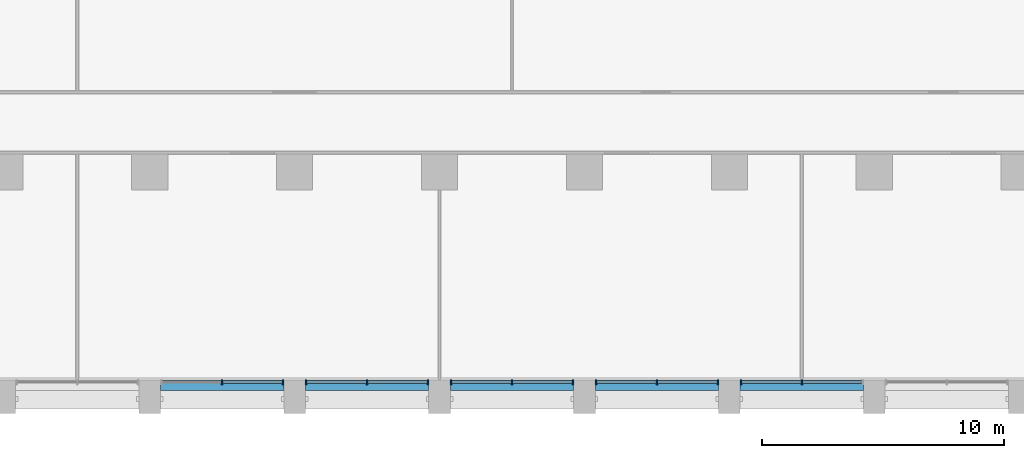
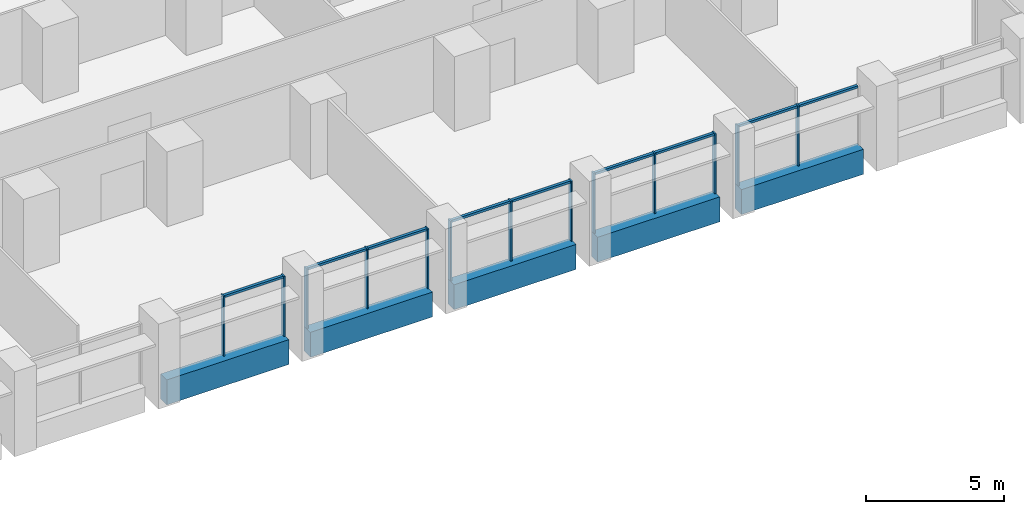
# One storey, part 3 of 18: 22 members, 5 beams, 5 elements without a shape of their own.
"""IFC4 building model written with IfcOpenShell, lengths in metres."""

from ifc_helpers import new_model, si_unit, direction, frame, origin, origin_2d, place, context, subcontext, project, spatial, rectangle, extrude, material, material_profile, profile_set, type_object, element, aggregate, save


model = new_model("IFC4")

# Units and contexts
model_context = context("Model", 3, precision=1e-05, world=origin(), true_north=direction((0.0, 1.0)))
body_context = subcontext(model_context, "Body", "Model", "MODEL_VIEW")
ifc_project = project(units=[si_unit("LENGTHUNIT", "METRE"), si_unit("AREAUNIT", "SQUARE_METRE"), si_unit("VOLUMEUNIT", "CUBIC_METRE"), si_unit("PLANEANGLEUNIT", "RADIAN"), si_unit("MASSUNIT", "GRAM", prefix="KILO")], contexts=[model_context])

# Site, building, storey
site_placement = place(None, origin())
site = spatial("IfcSite", under=ifc_project, at=site_placement, CompositionType="ELEMENT")
building_placement = place(site_placement, origin())
building = spatial("IfcBuilding", under=site, at=building_placement, Name="Calvaro Tower", CompositionType="ELEMENT")
storey_placement = place(building_placement, frame((0.0, 0.0, 78.75)))
storey = spatial("IfcBuildingStorey", under=building, at=storey_placement, Name="L19", CompositionType="ELEMENT", Elevation=78.75)

# Curtain wall, members
ifc_material_1 = material(Name="Anodised aluminium", Category="aluminium")
curtain_wall_type = type_object("IfcCurtainWallType", Name="Office curtain wall, lower zone", PredefinedType="NOTDEFINED", material=ifc_material_1)
curtain_wall_1_placement = place(storey_placement, origin())
curtain_wall_1 = element("IfcCurtainWall", 1, at=curtain_wall_1_placement, inside=storey, type_object=curtain_wall_type, Name="CW1 south curtain wall", PredefinedType="NOTDEFINED")
ifc_material_2 = material(Name="Anodised aluminium", Category="aluminium")
ifc_material_profile_1 = material_profile(ifc_material_2, rectangle(XDim=0.199951171875, YDim=0.06005859375, at=origin_2d()), Name="Mullion S1 60 x 200")
ifc_profile_set_1 = profile_set([ifc_material_profile_1], Name="Anodised aluminium")
member_type_1 = type_object("IfcMemberType", Name="Mullion S1 60 x 200", PredefinedType="MULLION", material=ifc_profile_set_1)
member_1_placement = place(storey_placement, frame((39.0, 1.300048828125, 0.0), z_axis=(0.0, 0.0, 1.0), x_axis=(0.0, 1.0, 0.0)))
member_1 = element("IfcMember", 2, at=member_1_placement, type_object=member_type_1, Name="CW1 mullion 2", PredefinedType="MULLION", context=body_context, shape_type="SweptSolid", body=[
    extrude(rectangle(XDim=0.199951171875, YDim=0.06005859375, at=origin_2d()), origin(), (0.0, 0.0, 1.0), 2.64990234375),
])
member_2_placement = place(storey_placement, frame((41.52001953125, 1.300048828125, 0.0), z_axis=(0.0, 0.0, 1.0), x_axis=(0.0, 1.0, 0.0)))
member_2 = element("IfcMember", 3, at=member_2_placement, type_object=member_type_1, Name="CW1 mullion 3", PredefinedType="MULLION", context=body_context, shape_type="SweptSolid", body=[
    extrude(rectangle(XDim=0.199951171875, YDim=0.06005859375, at=origin_2d()), origin(), (0.0, 0.0, 1.0), 2.64990234375),
])

curtain_wall_2_placement = place(storey_placement, origin())
curtain_wall_2 = element("IfcCurtainWall", 4, at=curtain_wall_2_placement, inside=storey, type_object=curtain_wall_type, Name="CW1 south curtain wall", PredefinedType="NOTDEFINED")
member_3_placement = place(storey_placement, frame((42.47998046875, 1.300048828125, 0.0), z_axis=(0.0, 0.0, 1.0), x_axis=(0.0, 1.0, 0.0)))
member_3 = element("IfcMember", 5, at=member_3_placement, type_object=member_type_1, Name="CW1 mullion 1", PredefinedType="MULLION", context=body_context, shape_type="SweptSolid", body=[
    extrude(rectangle(XDim=0.199951171875, YDim=0.06005859375, at=origin_2d()), origin(), (0.0, 0.0, 1.0), 2.64990234375),
])
member_4_placement = place(storey_placement, frame((45.0, 1.300048828125, 0.0), z_axis=(0.0, 0.0, 1.0), x_axis=(0.0, 1.0, 0.0)))
member_4 = element("IfcMember", 6, at=member_4_placement, type_object=member_type_1, Name="CW1 mullion 2", PredefinedType="MULLION", context=body_context, shape_type="SweptSolid", body=[
    extrude(rectangle(XDim=0.199951171875, YDim=0.06005859375, at=origin_2d()), origin(), (0.0, 0.0, 1.0), 2.64990234375),
])
member_5_placement = place(storey_placement, frame((47.52001953125, 1.300048828125, 0.0), z_axis=(0.0, 0.0, 1.0), x_axis=(0.0, 1.0, 0.0)))
member_5 = element("IfcMember", 7, at=member_5_placement, type_object=member_type_1, Name="CW1 mullion 3", PredefinedType="MULLION", context=body_context, shape_type="SweptSolid", body=[
    extrude(rectangle(XDim=0.199951171875, YDim=0.06005859375, at=origin_2d()), origin(), (0.0, 0.0, 1.0), 2.64990234375),
])

curtain_wall_3_placement = place(storey_placement, origin())
curtain_wall_3 = element("IfcCurtainWall", 8, at=curtain_wall_3_placement, inside=storey, type_object=curtain_wall_type, Name="CW1 south curtain wall", PredefinedType="NOTDEFINED")
member_6_placement = place(storey_placement, frame((48.47998046875, 1.300048828125, 0.0), z_axis=(0.0, 0.0, 1.0), x_axis=(0.0, 1.0, 0.0)))
member_6 = element("IfcMember", 9, at=member_6_placement, type_object=member_type_1, Name="CW1 mullion 1", PredefinedType="MULLION", context=body_context, shape_type="SweptSolid", body=[
    extrude(rectangle(XDim=0.199951171875, YDim=0.06005859375, at=origin_2d()), origin(), (0.0, 0.0, 1.0), 2.64990234375),
])
member_7_placement = place(storey_placement, frame((51.0, 1.300048828125, 0.0), z_axis=(0.0, 0.0, 1.0), x_axis=(0.0, 1.0, 0.0)))
member_7 = element("IfcMember", 10, at=member_7_placement, type_object=member_type_1, Name="CW1 mullion 2", PredefinedType="MULLION", context=body_context, shape_type="SweptSolid", body=[
    extrude(rectangle(XDim=0.199951171875, YDim=0.06005859375, at=origin_2d()), origin(), (0.0, 0.0, 1.0), 2.64990234375),
])
member_8_placement = place(storey_placement, frame((53.52001953125, 1.300048828125, 0.0), z_axis=(0.0, 0.0, 1.0), x_axis=(0.0, 1.0, 0.0)))
member_8 = element("IfcMember", 11, at=member_8_placement, type_object=member_type_1, Name="CW1 mullion 3", PredefinedType="MULLION", context=body_context, shape_type="SweptSolid", body=[
    extrude(rectangle(XDim=0.199951171875, YDim=0.06005859375, at=origin_2d()), origin(), (0.0, 0.0, 1.0), 2.64990234375),
])

curtain_wall_4_placement = place(storey_placement, origin())
curtain_wall_4 = element("IfcCurtainWall", 12, at=curtain_wall_4_placement, inside=storey, type_object=curtain_wall_type, Name="CW1 south curtain wall", PredefinedType="NOTDEFINED")
member_9_placement = place(storey_placement, frame((54.47998046875, 1.300048828125, 0.0), z_axis=(0.0, 0.0, 1.0), x_axis=(0.0, 1.0, 0.0)))
member_9 = element("IfcMember", 13, at=member_9_placement, type_object=member_type_1, Name="CW1 mullion 1", PredefinedType="MULLION", context=body_context, shape_type="SweptSolid", body=[
    extrude(rectangle(XDim=0.199951171875, YDim=0.06005859375, at=origin_2d()), origin(), (0.0, 0.0, 1.0), 2.64990234375),
])
member_10_placement = place(storey_placement, frame((57.0, 1.300048828125, 0.0), z_axis=(0.0, 0.0, 1.0), x_axis=(0.0, 1.0, 0.0)))
member_10 = element("IfcMember", 14, at=member_10_placement, type_object=member_type_1, Name="CW1 mullion 2", PredefinedType="MULLION", context=body_context, shape_type="SweptSolid", body=[
    extrude(rectangle(XDim=0.199951171875, YDim=0.06005859375, at=origin_2d()), origin(), (0.0, 0.0, 1.0), 2.64990234375),
])
member_11_placement = place(storey_placement, frame((59.52001953125, 1.300048828125, 0.0), z_axis=(0.0, 0.0, 1.0), x_axis=(0.0, 1.0, 0.0)))
member_11 = element("IfcMember", 15, at=member_11_placement, type_object=member_type_1, Name="CW1 mullion 3", PredefinedType="MULLION", context=body_context, shape_type="SweptSolid", body=[
    extrude(rectangle(XDim=0.199951171875, YDim=0.06005859375, at=origin_2d()), origin(), (0.0, 0.0, 1.0), 2.64990234375),
])

curtain_wall_5_placement = place(storey_placement, origin())
curtain_wall_5 = element("IfcCurtainWall", 16, at=curtain_wall_5_placement, inside=storey, type_object=curtain_wall_type, Name="CW1 south curtain wall", PredefinedType="NOTDEFINED")
member_12_placement = place(storey_placement, frame((60.47998046875, 1.300048828125, 0.0), z_axis=(0.0, 0.0, 1.0), x_axis=(0.0, 1.0, 0.0)))
member_12 = element("IfcMember", 17, at=member_12_placement, type_object=member_type_1, Name="CW1 mullion 1", PredefinedType="MULLION", context=body_context, shape_type="SweptSolid", body=[
    extrude(rectangle(XDim=0.199951171875, YDim=0.06005859375, at=origin_2d()), origin(), (0.0, 0.0, 1.0), 2.64990234375),
])
member_13_placement = place(storey_placement, frame((63.0, 1.300048828125, 0.0), z_axis=(0.0, 0.0, 1.0), x_axis=(0.0, 1.0, 0.0)))
member_13 = element("IfcMember", 18, at=member_13_placement, type_object=member_type_1, Name="CW1 mullion 2", PredefinedType="MULLION", context=body_context, shape_type="SweptSolid", body=[
    extrude(rectangle(XDim=0.199951171875, YDim=0.06005859375, at=origin_2d()), origin(), (0.0, 0.0, 1.0), 2.64990234375),
])

# Beams
ifc_material_3 = material(Name="Concrete C50/60 precast", Category="concrete")
ifc_material_profile_2 = material_profile(ifc_material_3, rectangle(XDim=0.449951171875, YDim=1.10009765625, at=origin_2d()), Name="RC 450x1100")
ifc_profile_set_2 = profile_set([ifc_material_profile_2], Name="Concrete C50/60 precast")
beam_type = type_object("IfcBeamType", Name="Spandrel beam 450x1100 C50/60", PredefinedType="SPANDREL", material=ifc_profile_set_2)
for number, where, z_axis, x_axis, name in (
    (19, (36.449951171875, 1.175048828125, -0.550048828125), (1.0, 0.0, 0.0), (0.0, 1.0, 0.0), "Spandrel beam"),
    (20, (42.449951171875, 1.175048828125, -0.550048828125), (1.0, 0.0, 0.0), (0.0, 1.0, 0.0), "Spandrel beam"),
    (21, (48.449951171875, 1.175048828125, -0.550048828125), (1.0, 0.0, 0.0), (0.0, 1.0, 0.0), "Spandrel beam"),
    (22, (54.449951171875, 1.175048828125, -0.550048828125), (1.0, 0.0, 0.0), (0.0, 1.0, 0.0), "Spandrel beam"),
    (23, (60.449951171875, 1.175048828125, -0.550048828125), (1.0, 0.0, 0.0), (0.0, 1.0, 0.0), "Spandrel beam"),
):
    element("IfcBeam", number, at=place(storey_placement, frame(where, z_axis=z_axis, x_axis=x_axis)), inside=storey, type_object=beam_type, Name=name, PredefinedType="SPANDREL", context=body_context, shape_type="SweptSolid", body=[
        extrude(rectangle(XDim=0.449951171875, YDim=1.10009765625, at=origin_2d()), origin(), (0.0, 0.0, 1.0), 5.10009765625),
    ])

# Member
ifc_material_4 = material(Name="Anodised aluminium", Category="aluminium")
ifc_material_profile_3 = material_profile(ifc_material_4, rectangle(XDim=0.1201171875, YDim=0.10009765625, at=origin_2d()), Name="Transom S1 100 x 120")
ifc_profile_set_3 = profile_set([ifc_material_profile_3], Name="Anodised aluminium")
member_type_2 = type_object("IfcMemberType", Name="Transom S1 100 x 120", PredefinedType="USERDEFINED", material=ifc_profile_set_3)
member_14_placement = place(storey_placement, frame((39.030029296875, 1.300048828125, 2.60009765625), z_axis=(1.0, 0.0, 0.0), x_axis=(0.0, 1.0, 0.0)))
member_14 = element("IfcMember", 24, at=member_14_placement, type_object=member_type_2, Name="CW1 transom 2.1", ObjectType="TRANSOM", PredefinedType="USERDEFINED", context=body_context, shape_type="SweptSolid", body=[
    extrude(rectangle(XDim=0.1201171875, YDim=0.10009765625, at=origin_2d()), origin(), (0.0, 0.0, 1.0), 2.4599609375),
])

aggregate(curtain_wall_1, [member_1, member_2, member_14])

member_15_placement = place(storey_placement, frame((42.510009765625, 1.300048828125, 2.60009765625), z_axis=(1.0, 0.0, 0.0), x_axis=(0.0, 1.0, 0.0)))
member_15 = element("IfcMember", 25, at=member_15_placement, type_object=member_type_2, Name="CW1 transom 1.1", ObjectType="TRANSOM", PredefinedType="USERDEFINED", context=body_context, shape_type="SweptSolid", body=[
    extrude(rectangle(XDim=0.1201171875, YDim=0.10009765625, at=origin_2d()), origin(), (0.0, 0.0, 1.0), 2.4599609375),
])

member_16_placement = place(storey_placement, frame((45.030029296875, 1.300048828125, 2.60009765625), z_axis=(1.0, 0.0, 0.0), x_axis=(0.0, 1.0, 0.0)))
member_16 = element("IfcMember", 26, at=member_16_placement, type_object=member_type_2, Name="CW1 transom 2.1", ObjectType="TRANSOM", PredefinedType="USERDEFINED", context=body_context, shape_type="SweptSolid", body=[
    extrude(rectangle(XDim=0.1201171875, YDim=0.10009765625, at=origin_2d()), origin(), (0.0, 0.0, 1.0), 2.4599609375),
])

aggregate(curtain_wall_2, [member_3, member_4, member_5, member_15, member_16])

member_17_placement = place(storey_placement, frame((48.510009765625, 1.300048828125, 2.60009765625), z_axis=(1.0, 0.0, 0.0), x_axis=(0.0, 1.0, 0.0)))
member_17 = element("IfcMember", 27, at=member_17_placement, type_object=member_type_2, Name="CW1 transom 1.1", ObjectType="TRANSOM", PredefinedType="USERDEFINED", context=body_context, shape_type="SweptSolid", body=[
    extrude(rectangle(XDim=0.1201171875, YDim=0.10009765625, at=origin_2d()), origin(), (0.0, 0.0, 1.0), 2.4599609375),
])

member_18_placement = place(storey_placement, frame((51.030029296875, 1.300048828125, 2.60009765625), z_axis=(1.0, 0.0, 0.0), x_axis=(0.0, 1.0, 0.0)))
member_18 = element("IfcMember", 28, at=member_18_placement, type_object=member_type_2, Name="CW1 transom 2.1", ObjectType="TRANSOM", PredefinedType="USERDEFINED", context=body_context, shape_type="SweptSolid", body=[
    extrude(rectangle(XDim=0.1201171875, YDim=0.10009765625, at=origin_2d()), origin(), (0.0, 0.0, 1.0), 2.4599609375),
])

aggregate(curtain_wall_3, [member_6, member_7, member_8, member_17, member_18])

member_19_placement = place(storey_placement, frame((54.510009765625, 1.300048828125, 2.60009765625), z_axis=(1.0, 0.0, 0.0), x_axis=(0.0, 1.0, 0.0)))
member_19 = element("IfcMember", 29, at=member_19_placement, type_object=member_type_2, Name="CW1 transom 1.1", ObjectType="TRANSOM", PredefinedType="USERDEFINED", context=body_context, shape_type="SweptSolid", body=[
    extrude(rectangle(XDim=0.1201171875, YDim=0.10009765625, at=origin_2d()), origin(), (0.0, 0.0, 1.0), 2.4599609375),
])

member_20_placement = place(storey_placement, frame((57.030029296875, 1.300048828125, 2.60009765625), z_axis=(1.0, 0.0, 0.0), x_axis=(0.0, 1.0, 0.0)))
member_20 = element("IfcMember", 30, at=member_20_placement, type_object=member_type_2, Name="CW1 transom 2.1", ObjectType="TRANSOM", PredefinedType="USERDEFINED", context=body_context, shape_type="SweptSolid", body=[
    extrude(rectangle(XDim=0.1201171875, YDim=0.10009765625, at=origin_2d()), origin(), (0.0, 0.0, 1.0), 2.4599609375),
])

aggregate(curtain_wall_4, [member_9, member_10, member_11, member_19, member_20])

member_21_placement = place(storey_placement, frame((60.510009765625, 1.300048828125, 2.60009765625), z_axis=(1.0, 0.0, 0.0), x_axis=(0.0, 1.0, 0.0)))
member_21 = element("IfcMember", 31, at=member_21_placement, type_object=member_type_2, Name="CW1 transom 1.1", ObjectType="TRANSOM", PredefinedType="USERDEFINED", context=body_context, shape_type="SweptSolid", body=[
    extrude(rectangle(XDim=0.1201171875, YDim=0.10009765625, at=origin_2d()), origin(), (0.0, 0.0, 1.0), 2.4599609375),
])

member_22_placement = place(storey_placement, frame((63.030029296875, 1.300048828125, 2.60009765625), z_axis=(1.0, 0.0, 0.0), x_axis=(0.0, 1.0, 0.0)))
member_22 = element("IfcMember", 32, at=member_22_placement, type_object=member_type_2, Name="CW1 transom 2.1", ObjectType="TRANSOM", PredefinedType="USERDEFINED", context=body_context, shape_type="SweptSolid", body=[
    extrude(rectangle(XDim=0.1201171875, YDim=0.10009765625, at=origin_2d()), origin(), (0.0, 0.0, 1.0), 2.4599609375),
])

aggregate(curtain_wall_5, [member_12, member_13, member_21, member_22])

save(model, "model.ifc")
